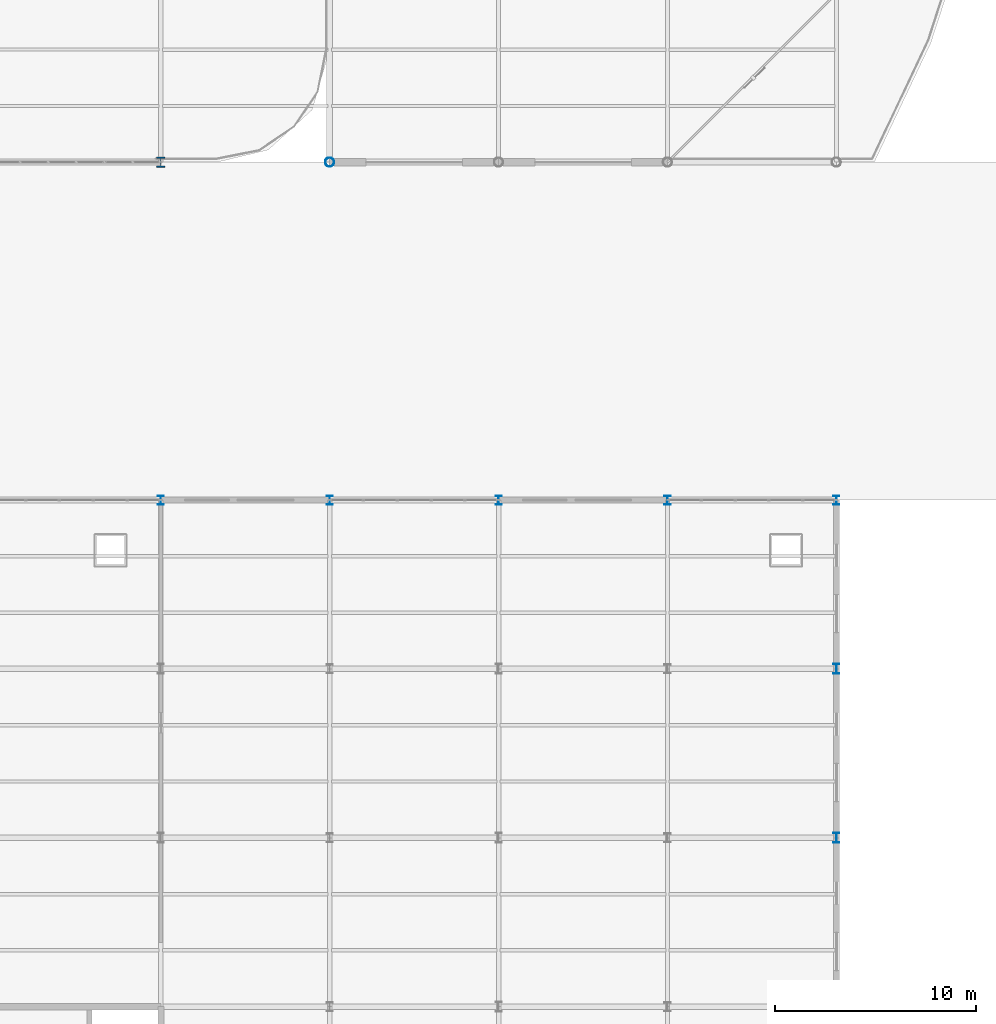
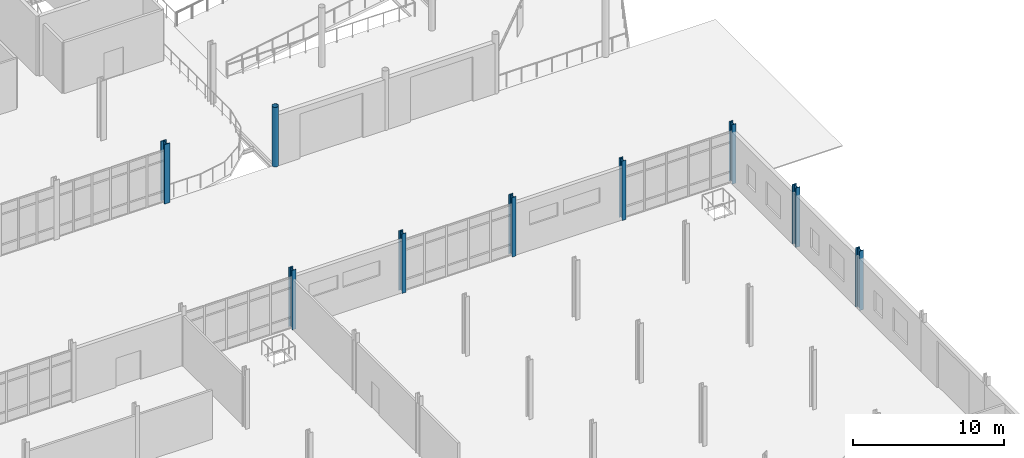
# One storey, part 18 of 145: 9 columns.
"""IFC4 building model written with IfcOpenShell, lengths in metres."""

from ifc_helpers import new_model, si_unit, direction, frame, origin, origin_2d, place, context, subcontext, project, spatial, hollow_circle, i_section, extrude, material, material_profile, profile_set, type_object, element, save


model = new_model("IFC4")

# Units and contexts
model_context = context("Model", 3, precision=1e-05, world=origin(), true_north=direction((0.0, 1.0)))
body_context = subcontext(model_context, "Body", "Model", "MODEL_VIEW")
ifc_project = project(units=[si_unit("LENGTHUNIT", "METRE"), si_unit("AREAUNIT", "SQUARE_METRE"), si_unit("VOLUMEUNIT", "CUBIC_METRE"), si_unit("PLANEANGLEUNIT", "RADIAN"), si_unit("MASSUNIT", "GRAM", prefix="KILO")], contexts=[model_context])

# Site, building, storey
site_placement = place(None, origin())
site = spatial("IfcSite", under=ifc_project, at=site_placement, CompositionType="ELEMENT")
building_placement = place(site_placement, origin())
building = spatial("IfcBuilding", under=site, at=building_placement, Name="Qalvenar Corner Mobility Hub", CompositionType="ELEMENT")
storey_placement = place(building_placement, origin())
storey = spatial("IfcBuildingStorey", under=building, at=storey_placement, Name="L00", CompositionType="ELEMENT", Elevation=0.0)

# Columns
ifc_material = material(Name="Steel S355", Category="steel")
ifc_material_profile_1 = material_profile(ifc_material, hollow_circle(Radius=0.228515625, WallThickness=0.01416015625, at=origin_2d()), Name="CHS457x14.2")
ifc_profile_set_1 = profile_set([ifc_material_profile_1], Name="Steel S355")
column_type_1 = type_object("IfcColumnType", Name="COL-CHS457", PredefinedType="COLUMN", material=ifc_profile_set_1)
column_1_placement = place(storey_placement, frame((142.800048828125, 67.199951171875, 0.0), z_axis=(0.0, 0.0, 1.0), x_axis=(1.0, 0.0, 0.0)))
element("IfcColumn", 1, at=column_1_placement, inside=storey, type_object=column_type_1, Name="Steel Column L00-G18-8", PredefinedType="COLUMN", context=body_context, shape_type="SweptSolid", body=[
    extrude(hollow_circle(Radius=0.228515625, WallThickness=0.01416015625, at=origin_2d()), origin(), (0.0, 0.0, 1.0), 4.800048828125),
])
ifc_material_profile_2 = material_profile(ifc_material, i_section(OverallWidth=0.419921875, OverallDepth=0.5048828125, WebThickness=0.03662109375, FlangeThickness=0.05908203125, FilletRadius=0.014892578125, at=origin_2d()), Name="HD400x551")
ifc_profile_set_2 = profile_set([ifc_material_profile_2], Name="Steel S355")
column_type_2 = type_object("IfcColumnType", Name="COL-HD400X463", PredefinedType="COLUMN", material=ifc_profile_set_2)
column_2_placement = place(storey_placement, frame((134.39990234375, 67.199951171875, 0.0), z_axis=(0.0, 0.0, 1.0), x_axis=(1.0, 0.0, 0.0)))
element("IfcColumn", 2, at=column_2_placement, inside=storey, type_object=column_type_2, Name="Steel Column L00-G17-8", PredefinedType="COLUMN", context=body_context, shape_type="SweptSolid", body=[
    extrude(i_section(OverallWidth=0.419921875, OverallDepth=0.5048828125, WebThickness=0.03662109375, FlangeThickness=0.05908203125, FilletRadius=0.014892578125, at=origin_2d()), origin(), (0.0, 0.0, 1.0), 4.800048828125),
])
ifc_material_profile_3 = material_profile(ifc_material, i_section(OverallWidth=0.300048828125, OverallDepth=0.449951171875, WebThickness=0.013916015625, FlangeThickness=0.02587890625, FilletRadius=0.027099609375, at=origin_2d()), Name="HEB450")
ifc_profile_set_3 = profile_set([ifc_material_profile_3], Name="Steel S355")
column_type_3 = type_object("IfcColumnType", Name="COL-HEB450", PredefinedType="COLUMN", material=ifc_profile_set_3)
for number, where, z_axis, x_axis, name in (
    (3, (134.39990234375, 50.39990234375, 0.0), (0.0, 0.0, 1.0), (1.0, 0.0, 0.0), "Steel Column L00-G17-6"),
    (4, (142.800048828125, 50.39990234375, 0.0), (0.0, 0.0, 1.0), (1.0, 0.0, 0.0), "Steel Column L00-G18-6"),
    (5, (151.199951171875, 50.39990234375, 0.0), (0.0, 0.0, 1.0), (1.0, 0.0, 0.0), "Steel Column L00-G19-6"),
    (6, (159.60009765625, 50.39990234375, 0.0), (0.0, 0.0, 1.0), (1.0, 0.0, 0.0), "Steel Column L00-G20-6"),
    (7, (168.0, 50.39990234375, 0.0), (0.0, 0.0, 1.0), (1.0, 0.0, 0.0), "Steel Column L00-G21-6"),
):
    element("IfcColumn", number, at=place(storey_placement, frame(where, z_axis=z_axis, x_axis=x_axis)), inside=storey, type_object=column_type_3, Name=name, PredefinedType="COLUMN", context=body_context, shape_type="SweptSolid", body=[
        extrude(i_section(OverallWidth=0.300048828125, OverallDepth=0.449951171875, WebThickness=0.013916015625, FlangeThickness=0.02587890625, FilletRadius=0.027099609375, at=origin_2d()), origin(), (0.0, 0.0, 1.0), 4.800048828125),
    ])
ifc_material_profile_4 = material_profile(ifc_material, i_section(OverallWidth=0.300048828125, OverallDepth=0.5, WebThickness=0.014404296875, FlangeThickness=0.028076171875, FilletRadius=0.027099609375, at=origin_2d()), Name="HEB500")
ifc_profile_set_4 = profile_set([ifc_material_profile_4], Name="Steel S355")
column_type_4 = type_object("IfcColumnType", Name="COL-HEB500", PredefinedType="COLUMN", material=ifc_profile_set_4)
for number, where, z_axis, x_axis, name in (
    (8, (168.0, 33.60009765625, 0.0), (0.0, 0.0, 1.0), (1.0, 0.0, 0.0), "Steel Column L00-G21-4"),
    (9, (168.0, 42.0, 0.0), (0.0, 0.0, 1.0), (1.0, 0.0, 0.0), "Steel Column L00-G21-5"),
):
    element("IfcColumn", number, at=place(storey_placement, frame(where, z_axis=z_axis, x_axis=x_axis)), inside=storey, type_object=column_type_4, Name=name, PredefinedType="COLUMN", context=body_context, shape_type="SweptSolid", body=[
        extrude(i_section(OverallWidth=0.300048828125, OverallDepth=0.5, WebThickness=0.014404296875, FlangeThickness=0.028076171875, FilletRadius=0.027099609375, at=origin_2d()), origin(), (0.0, 0.0, 1.0), 4.800048828125),
    ])

save(model, "model.ifc")
